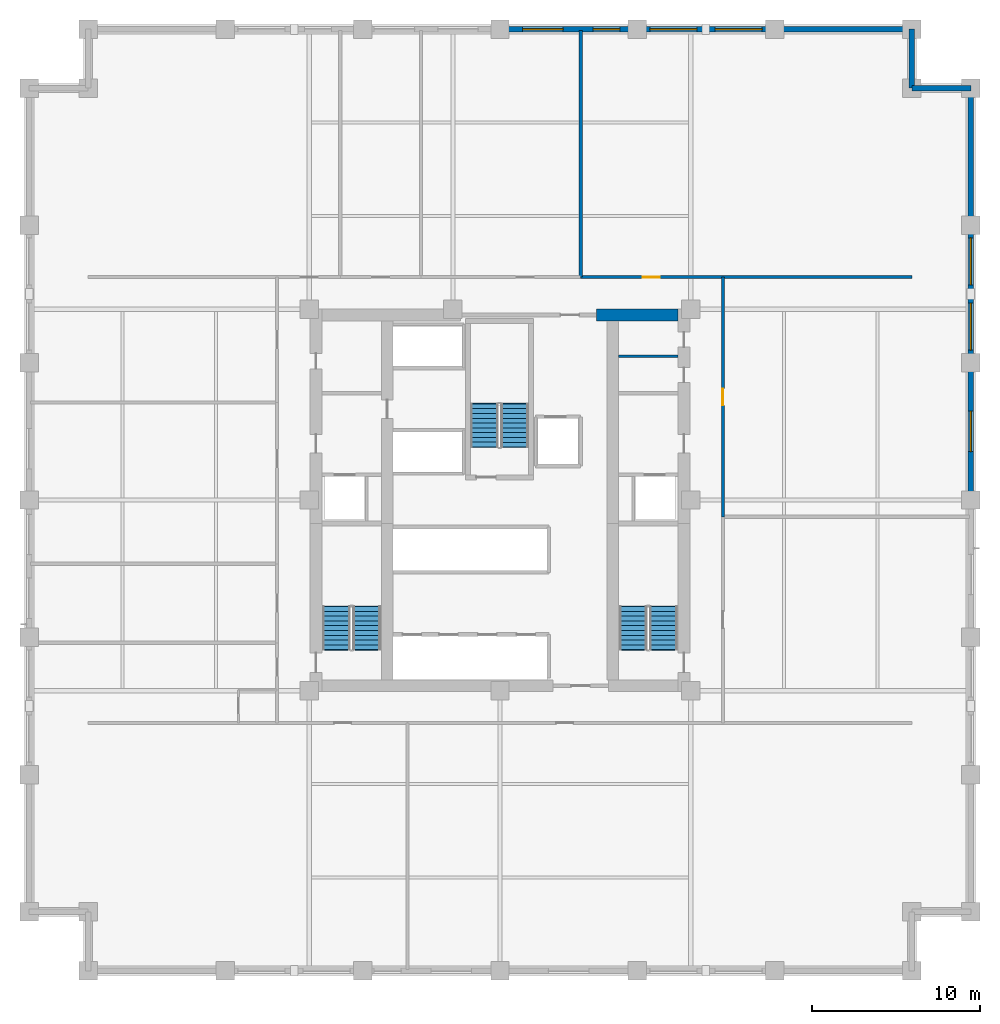
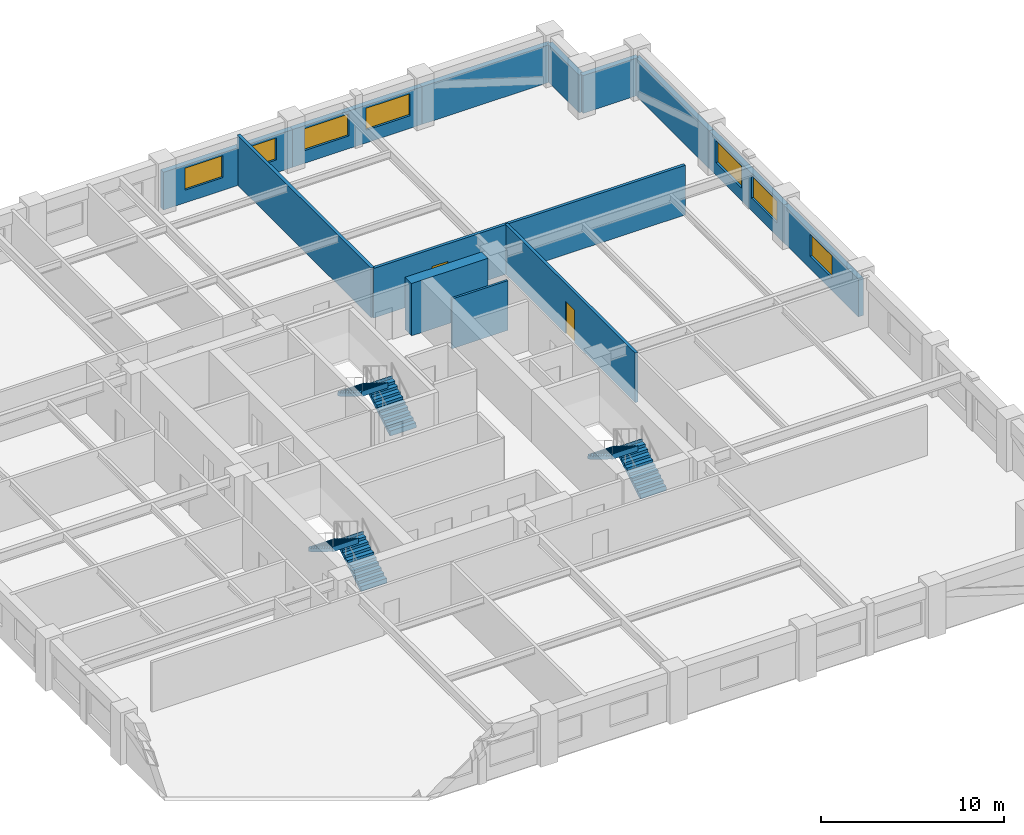
# One storey, part 8 of 9: 13 walls, 7 windows, 6 stair flights, 2 doors, 9 openings, 3 elements without a shape of their own.
"""IFC4 building model written with IfcOpenShell, lengths in metres."""

from ifc_helpers import new_model, si_unit, direction, frame, frame_2d, origin, place, context, subcontext, project, spatial, polyline, rectangle, outline, extrude, material, layer, layer_set, type_object, element, fill, aggregate, save


model = new_model("IFC4")

# Units and contexts
model_context = context("Model", 3, precision=1e-05, world=origin(), true_north=direction((0.0, 1.0)))
body_context = subcontext(model_context, "Body", "Model", "MODEL_VIEW")
ifc_project = project(units=[si_unit("LENGTHUNIT", "METRE"), si_unit("AREAUNIT", "SQUARE_METRE"), si_unit("VOLUMEUNIT", "CUBIC_METRE"), si_unit("PLANEANGLEUNIT", "RADIAN"), si_unit("MASSUNIT", "GRAM", prefix="KILO")], contexts=[model_context])

# Site, building, storey
site_placement = place(None, origin())
site = spatial("IfcSite", under=ifc_project, at=site_placement, CompositionType="ELEMENT")
building_placement = place(site_placement, origin())
building = spatial("IfcBuilding", under=site, at=building_placement, Name="Nhamokura Convention Tower", CompositionType="ELEMENT")
storey_placement = place(building_placement, frame((0.0, 0.0, 85.75)))
storey = spatial("IfcBuildingStorey", under=building, at=storey_placement, Name="L20", CompositionType="ELEMENT", Elevation=85.75)

# Wall
ifc_material_1 = material(Name="Moisture-resistant tile-backer partition", Category="masonry")
ifc_layer_1 = layer(ifc_material_1, 0.139892578125)
ifc_layer_set_1 = layer_set([ifc_layer_1], Name="BathroomWetWall_140")
wall_type_1 = type_object("IfcWallType", Name="BathroomWetWall_140", PredefinedType="STANDARD", material=ifc_layer_set_1)
wall_1_placement = place(storey_placement, frame((39.06005859375, 40.550048828125, 0.0), z_axis=(0.0, 0.0, 1.0), x_axis=(1.0, 0.0, 0.0)))
element("IfcWall", 1, at=wall_1_placement, inside=storey, type_object=wall_type_1, Name="L20 Wall INT-L20-CWNE", PredefinedType="STANDARD", context=body_context, shape_type="SweptSolid", body=[
    extrude(rectangle(XDim=3.530029296875, YDim=0.139892578125, at=frame_2d((1.76513671875, 0.0))), origin(), (0.0, 0.0, 1.0), 3.320068359375),
])

# Wall, openings, windows
ifc_material_2 = material(Name="Bronze-pigmented precast concrete C45/55", Category="concrete")
ifc_layer_2 = layer(ifc_material_2, 0.320068359375)
ifc_layer_set_2 = layer_set([ifc_layer_2], Name="BronzePrecastSpandrel_320")
wall_type_2 = type_object("IfcWallType", Name="BronzePrecastSpandrel_320", PredefinedType="USERDEFINED", material=ifc_layer_set_2)
wall_2_placement = place(storey_placement, frame((32.0, 60.0, 0.0), z_axis=(0.0, 0.0, 1.0), x_axis=(1.0, 0.0, 0.0)))
wall_2 = element("IfcWall", 2, at=wall_2_placement, inside=storey, type_object=wall_type_2, Name="L20 Masonry-Frame Wall NORTH 3", ObjectType="SPANDREL_WALL", PredefinedType="USERDEFINED", context=body_context, shape_type="SweptSolid", body=[
    extrude(rectangle(XDim=8.166748046875, YDim=0.320068359375, at=frame_2d((4.08349609375, 0.0))), origin(), (0.0, 0.0, 1.0), 2.52001953125),
])
opening_1_placement = place(wall_2_placement, frame((1.35009765625, 0.0, 0.85009765625)))
opening_1 = element("IfcOpeningElement", 3, at=opening_1_placement, cuts=wall_2, Name="Opening W-03", PredefinedType="OPENING", context=body_context, shape_type="SweptSolid", body=[
    extrude(rectangle(XDim=2.39990234375, YDim=1.469970703125, at=frame_2d((1.199951171875, 0.73486328125))), frame((0.0, 0.169921875, 0.0), z_axis=(0.0, -1.0, 0.0), x_axis=(1.0, 0.0, 0.0)), (0.0, 0.0, 1.0), 0.340087890625),
])
opening_2_placement = place(wall_2_placement, frame((5.533203125, 0.0, 0.85009765625)))
opening_2 = element("IfcOpeningElement", 4, at=opening_2_placement, cuts=wall_2, Name="Opening W-11", PredefinedType="OPENING", context=body_context, shape_type="SweptSolid", body=[
    extrude(rectangle(XDim=1.60009765625, YDim=1.469970703125, at=frame_2d((0.800048828125, 0.73486328125))), frame((0.0, 0.169921875, 0.0), z_axis=(0.0, -1.0, 0.0), x_axis=(1.0, 0.0, 0.0)), (0.0, 0.0, 1.0), 0.340087890625),
])
ifc_material_3 = material(Name="Solar-control bronze low-E double glass", Category="glass")
window_type_1 = type_object("IfcWindowType", Name="HotelBayWindow_2400", PartitioningType="DOUBLE_PANEL_VERTICAL", PredefinedType="WINDOW", material=ifc_material_3)
window_1_placement = place(opening_1_placement, origin())
window_1 = element("IfcWindow", 5, at=window_1_placement, inside=storey, type_object=window_type_1, Name="L20 Facade Window NORTH 3-1", OverallHeight=1.469970703125, OverallWidth=2.39990234375, PartitioningType="SINGLE_PANEL", PredefinedType="WINDOW", context=body_context, shape_type="SweptSolid", body=[
    extrude(rectangle(XDim=2.39990234375, YDim=1.469970703125, at=frame_2d((1.199951171875, 0.73486328125))), frame((0.0, 0.030029296875, 0.0), z_axis=(0.0, -1.0, 0.0), x_axis=(1.0, 0.0, 0.0)), (0.0, 0.0, 1.0), 0.06005859375),
])
fill(opening_1, window_1)
ifc_material_4 = material(Name="Solar-control bronze low-E double glass", Category="glass")
window_type_2 = type_object("IfcWindowType", Name="NotchCornerWindow_1600", PartitioningType="SINGLE_PANEL", PredefinedType="WINDOW", material=ifc_material_4)
window_2_placement = place(opening_2_placement, origin())
window_2 = element("IfcWindow", 6, at=window_2_placement, inside=storey, type_object=window_type_2, Name="L20 Facade Window NORTH 3-2", OverallHeight=1.469970703125, OverallWidth=1.60009765625, PartitioningType="SINGLE_PANEL", PredefinedType="WINDOW", context=body_context, shape_type="SweptSolid", body=[
    extrude(rectangle(XDim=1.60009765625, YDim=1.469970703125, at=frame_2d((0.800048828125, 0.73486328125))), frame((0.0, 0.030029296875, 0.0), z_axis=(0.0, -1.0, 0.0), x_axis=(1.0, 0.0, 0.0)), (0.0, 0.0, 1.0), 0.06005859375),
])
fill(opening_2, window_2)

wall_3_placement = place(storey_placement, frame((40.166748046875, 60.0, 0.0), z_axis=(0.0, 0.0, 1.0), x_axis=(1.0, 0.0, 0.0)))
wall_3 = element("IfcWall", 7, at=wall_3_placement, inside=storey, type_object=wall_type_2, Name="L20 Masonry-Frame Wall NORTH 4", ObjectType="SPANDREL_WALL", PredefinedType="USERDEFINED", context=body_context, shape_type="SweptSolid", body=[
    extrude(rectangle(XDim=8.16650390625, YDim=0.320068359375, at=frame_2d((4.083251953125, 0.0))), origin(), (0.0, 0.0, 1.0), 2.52001953125),
])
opening_3_placement = place(wall_3_placement, frame((0.74169921875, 0.0, 0.85009765625)))
opening_3 = element("IfcOpeningElement", 8, at=opening_3_placement, cuts=wall_3, Name="Opening W-04", PredefinedType="OPENING", context=body_context, shape_type="SweptSolid", body=[
    extrude(rectangle(XDim=2.800048828125, YDim=1.469970703125, at=frame_2d((1.39990234375, 0.73486328125))), frame((0.0, 0.169921875, 0.0), z_axis=(0.0, -1.0, 0.0), x_axis=(1.0, 0.0, 0.0)), (0.0, 0.0, 1.0), 0.340087890625),
])
opening_4_placement = place(wall_3_placement, frame((4.625, 0.0, 0.85009765625)))
opening_4 = element("IfcOpeningElement", 9, at=opening_4_placement, cuts=wall_3, Name="Opening W-04", PredefinedType="OPENING", context=body_context, shape_type="SweptSolid", body=[
    extrude(rectangle(XDim=2.800048828125, YDim=1.469970703125, at=frame_2d((1.39990234375, 0.73486328125))), frame((0.0, 0.169921875, 0.0), z_axis=(0.0, -1.0, 0.0), x_axis=(1.0, 0.0, 0.0)), (0.0, 0.0, 1.0), 0.340087890625),
])
ifc_material_5 = material(Name="Solar-control bronze low-E double glass", Category="glass")
window_type_3 = type_object("IfcWindowType", Name="HotelSuiteWindow_2800", PartitioningType="DOUBLE_PANEL_VERTICAL", PredefinedType="WINDOW", material=ifc_material_5)
window_3_placement = place(opening_3_placement, origin())
window_3 = element("IfcWindow", 10, at=window_3_placement, inside=storey, type_object=window_type_3, Name="L20 Facade Window NORTH 4-1", OverallHeight=1.469970703125, OverallWidth=2.800048828125, PartitioningType="SINGLE_PANEL", PredefinedType="WINDOW", context=body_context, shape_type="SweptSolid", body=[
    extrude(rectangle(XDim=2.800048828125, YDim=1.469970703125, at=frame_2d((1.39990234375, 0.73486328125))), frame((0.0, 0.030029296875, 0.0), z_axis=(0.0, -1.0, 0.0), x_axis=(1.0, 0.0, 0.0)), (0.0, 0.0, 1.0), 0.06005859375),
])
fill(opening_3, window_3)
window_4_placement = place(opening_4_placement, origin())
window_4 = element("IfcWindow", 11, at=window_4_placement, inside=storey, type_object=window_type_3, Name="L20 Facade Window NORTH 4-2", OverallHeight=1.469970703125, OverallWidth=2.800048828125, PartitioningType="SINGLE_PANEL", PredefinedType="WINDOW", context=body_context, shape_type="SweptSolid", body=[
    extrude(rectangle(XDim=2.800048828125, YDim=1.469970703125, at=frame_2d((1.39990234375, 0.73486328125))), frame((0.0, 0.030029296875, 0.0), z_axis=(0.0, -1.0, 0.0), x_axis=(1.0, 0.0, 0.0)), (0.0, 0.0, 1.0), 0.06005859375),
])
fill(opening_4, window_4)

# Wall
wall_4_placement = place(storey_placement, frame((48.333251953125, 60.0, 0.0), z_axis=(0.0, 0.0, 1.0), x_axis=(1.0, 0.0, 0.0)))
element("IfcWall", 12, at=wall_4_placement, inside=storey, type_object=wall_type_2, Name="L20 Braced-Bay Precast Wall NORTH 5", ObjectType="SPANDREL_WALL", PredefinedType="USERDEFINED", context=body_context, shape_type="SweptSolid", body=[
    extrude(rectangle(XDim=8.166748046875, YDim=0.320068359375, at=frame_2d((4.08349609375, 0.0))), origin(), (0.0, 0.0, 1.0), 2.52001953125),
])

# Wall, opening, window
wall_5_placement = place(storey_placement, frame((60.0, 40.166748046875, 0.0), z_axis=(0.0, 0.0, 1.0), x_axis=(0.0, -1.0, 0.0)))
wall_5 = element("IfcWall", 13, at=wall_5_placement, inside=storey, type_object=wall_type_2, Name="L20 Masonry-Frame Wall EAST 3", ObjectType="SPANDREL_WALL", PredefinedType="USERDEFINED", context=body_context, shape_type="SweptSolid", body=[
    extrude(rectangle(XDim=8.166748046875, YDim=0.320068359375, at=frame_2d((4.08349609375, 0.0))), origin(), (0.0, 0.0, 1.0), 2.52001953125),
])
opening_5_placement = place(wall_5_placement, frame((2.88330078125, 0.0, 0.85009765625)))
opening_5 = element("IfcOpeningElement", 14, at=opening_5_placement, cuts=wall_5, Name="Opening W-03", PredefinedType="OPENING", context=body_context, shape_type="SweptSolid", body=[
    extrude(rectangle(XDim=2.39990234375, YDim=1.469970703125, at=frame_2d((1.199951171875, 0.73486328125))), frame((0.0, 0.169921875, 0.0), z_axis=(0.0, -1.0, 0.0), x_axis=(1.0, 0.0, 0.0)), (0.0, 0.0, 1.0), 0.340087890625),
])
window_5_placement = place(opening_5_placement, origin())
window_5 = element("IfcWindow", 15, at=window_5_placement, inside=storey, type_object=window_type_1, Name="L20 Facade Window EAST 3", OverallHeight=1.469970703125, OverallWidth=2.39990234375, PartitioningType="SINGLE_PANEL", PredefinedType="WINDOW", context=body_context, shape_type="SweptSolid", body=[
    extrude(rectangle(XDim=2.39990234375, YDim=1.469970703125, at=frame_2d((1.199951171875, 0.73486328125))), frame((0.0, 0.030029296875, 0.0), z_axis=(0.0, -1.0, 0.0), x_axis=(1.0, 0.0, 0.0)), (0.0, 0.0, 1.0), 0.06005859375),
])
fill(opening_5, window_5)

# Wall, openings, windows
wall_6_placement = place(storey_placement, frame((60.0, 48.333251953125, 0.0), z_axis=(0.0, 0.0, 1.0), x_axis=(0.0, -1.0, 0.0)))
wall_6 = element("IfcWall", 16, at=wall_6_placement, inside=storey, type_object=wall_type_2, Name="L20 Masonry-Frame Wall EAST 4", ObjectType="SPANDREL_WALL", PredefinedType="USERDEFINED", context=body_context, shape_type="SweptSolid", body=[
    extrude(rectangle(XDim=8.16650390625, YDim=0.320068359375, at=frame_2d((4.083251953125, 0.0))), origin(), (0.0, 0.0, 1.0), 2.52001953125),
])
opening_6_placement = place(wall_6_placement, frame((0.74169921875, 0.0, 0.85009765625)))
opening_6 = element("IfcOpeningElement", 17, at=opening_6_placement, cuts=wall_6, Name="Opening W-04", PredefinedType="OPENING", context=body_context, shape_type="SweptSolid", body=[
    extrude(rectangle(XDim=2.800048828125, YDim=1.469970703125, at=frame_2d((1.39990234375, 0.73486328125))), frame((0.0, 0.169921875, 0.0), z_axis=(0.0, -1.0, 0.0), x_axis=(1.0, 0.0, 0.0)), (0.0, 0.0, 1.0), 0.340087890625),
])
opening_7_placement = place(wall_6_placement, frame((4.625, 0.0, 0.85009765625)))
opening_7 = element("IfcOpeningElement", 18, at=opening_7_placement, cuts=wall_6, Name="Opening W-04", PredefinedType="OPENING", context=body_context, shape_type="SweptSolid", body=[
    extrude(rectangle(XDim=2.800048828125, YDim=1.469970703125, at=frame_2d((1.39990234375, 0.73486328125))), frame((0.0, 0.169921875, 0.0), z_axis=(0.0, -1.0, 0.0), x_axis=(1.0, 0.0, 0.0)), (0.0, 0.0, 1.0), 0.340087890625),
])
window_6_placement = place(opening_6_placement, origin())
window_6 = element("IfcWindow", 19, at=window_6_placement, inside=storey, type_object=window_type_3, Name="L20 Facade Window EAST 4-1", OverallHeight=1.469970703125, OverallWidth=2.800048828125, PartitioningType="SINGLE_PANEL", PredefinedType="WINDOW", context=body_context, shape_type="SweptSolid", body=[
    extrude(rectangle(XDim=2.800048828125, YDim=1.469970703125, at=frame_2d((1.39990234375, 0.73486328125))), frame((0.0, 0.030029296875, 0.0), z_axis=(0.0, -1.0, 0.0), x_axis=(1.0, 0.0, 0.0)), (0.0, 0.0, 1.0), 0.06005859375),
])
fill(opening_6, window_6)
window_7_placement = place(opening_7_placement, origin())
window_7 = element("IfcWindow", 20, at=window_7_placement, inside=storey, type_object=window_type_3, Name="L20 Facade Window EAST 4-2", OverallHeight=1.469970703125, OverallWidth=2.800048828125, PartitioningType="SINGLE_PANEL", PredefinedType="WINDOW", context=body_context, shape_type="SweptSolid", body=[
    extrude(rectangle(XDim=2.800048828125, YDim=1.469970703125, at=frame_2d((1.39990234375, 0.73486328125))), frame((0.0, 0.030029296875, 0.0), z_axis=(0.0, -1.0, 0.0), x_axis=(1.0, 0.0, 0.0)), (0.0, 0.0, 1.0), 0.06005859375),
])
fill(opening_7, window_7)

# Walls
wall_7_placement = place(storey_placement, frame((60.0, 56.5, 0.0), z_axis=(0.0, 0.0, 1.0), x_axis=(0.0, -1.0, 0.0)))
element("IfcWall", 21, at=wall_7_placement, inside=storey, type_object=wall_type_2, Name="L20 Braced-Bay Precast Wall EAST 5", ObjectType="SPANDREL_WALL", PredefinedType="USERDEFINED", context=body_context, shape_type="SweptSolid", body=[
    extrude(rectangle(XDim=8.166748046875, YDim=0.320068359375, at=frame_2d((4.08349609375, 0.0))), origin(), (0.0, 0.0, 1.0), 2.52001953125),
])
for number, where, z_axis, x_axis, name in (
    (22, (56.5, 56.5, 0.0), (0.0, 0.0, 1.0), (1.0, 0.0, 0.0), "L20 Notched Corner Wall NE1"),
    (23, (56.5, 60.0, 0.0), (0.0, 0.0, 1.0), (0.0, -1.0, 0.0), "L20 Notched Corner Wall NE2"),
):
    element("IfcWall", number, at=place(storey_placement, frame(where, z_axis=z_axis, x_axis=x_axis)), inside=storey, type_object=wall_type_2, Name=name, ObjectType="SPANDREL_WALL", PredefinedType="USERDEFINED", context=body_context, shape_type="SweptSolid", body=[
        extrude(rectangle(XDim=3.5, YDim=0.320068359375, at=frame_2d((1.75, 0.0))), origin(), (0.0, 0.0, 1.0), 2.52001953125),
    ])
ifc_material_6 = material(Name="Concrete C70/85", Category="concrete")
ifc_layer_3 = layer(ifc_material_6, 0.699951171875)
ifc_layer_set_3 = layer_set([ifc_layer_3], Name="CoreShearWall_700")
wall_type_3 = type_object("IfcWallType", Name="CoreShearWall_700", PredefinedType="SHEAR", material=ifc_layer_set_3)
wall_8_placement = place(storey_placement, frame((37.75, 43.0, 0.0), z_axis=(0.0, 0.0, 1.0), x_axis=(1.0, 0.0, 0.0)))
element("IfcWall", 24, at=wall_8_placement, inside=storey, type_object=wall_type_3, Name="L20 Core Shear Wall CW-N2", PredefinedType="SHEAR", context=body_context, shape_type="SweptSolid", body=[
    extrude(rectangle(XDim=4.840087890625, YDim=0.699951171875, at=frame_2d((2.419921875, 0.0))), origin(), (0.0, 0.0, 1.0), 3.5),
])

# Wall, opening, door
ifc_material_7 = material(Name="Fire-rated gypsum and masonry partition", Category="masonry")
ifc_layer_4 = layer(ifc_material_7, 0.179931640625)
ifc_layer_set_4 = layer_set([ifc_layer_4], Name="CorridorRatedWall_180")
wall_type_4 = type_object("IfcWallType", Name="CorridorRatedWall_180", PredefinedType="STANDARD", material=ifc_layer_set_4)
wall_9_placement = place(storey_placement, frame((36.800048828125, 45.25, 0.0), z_axis=(0.0, 0.0, 1.0), x_axis=(1.0, 0.0, 0.0)))
wall_9 = element("IfcWall", 25, at=wall_9_placement, inside=storey, type_object=wall_type_4, Name="L20 Wall INT-L20-CW-N03", PredefinedType="STANDARD", context=body_context, shape_type="SweptSolid", body=[
    extrude(rectangle(XDim=19.699951171875, YDim=0.179931640625, at=frame_2d((9.85009765625, 0.0))), origin(), (0.0, 0.0, 1.0), 3.320068359375),
])
opening_8_placement = place(wall_9_placement, frame((3.699951171875, 0.0, 0.0)))
opening_8 = element("IfcOpeningElement", 26, at=opening_8_placement, cuts=wall_9, Name="Opening D-07", PredefinedType="OPENING", context=body_context, shape_type="SweptSolid", body=[
    extrude(rectangle(XDim=1.0, YDim=2.14990234375, at=frame_2d((0.5, 1.074951171875))), frame((0.0, 0.099853515625, 0.0), z_axis=(0.0, -1.0, 0.0), x_axis=(1.0, 0.0, 0.0)), (0.0, 0.0, 1.0), 0.199951171875),
])
ifc_material_8 = material(Name="Solid oak hardwood", Category="wood")
door_type = type_object("IfcDoorType", Name="HotelSuiteEntryDoor_1000", OperationType="NOTDEFINED", PredefinedType="DOOR", material=ifc_material_8)
door_1_placement = place(opening_8_placement, origin())
door_1 = element("IfcDoor", 27, at=door_1_placement, inside=storey, type_object=door_type, Name="L20 Conference Salon N04 Door", OperationType="SINGLE_SWING_RIGHT", OverallHeight=2.14990234375, OverallWidth=1.0, PredefinedType="DOOR", context=body_context, shape_type="SweptSolid", body=[
    extrude(rectangle(XDim=1.0, YDim=2.14990234375, at=frame_2d((0.5, 1.074951171875))), frame((0.0, 0.02490234375, 0.0), z_axis=(0.0, -1.0, 0.0), x_axis=(1.0, 0.0, 0.0)), (0.0, 0.0, 1.0), 0.050048828125),
])
fill(opening_8, door_1)

wall_10_placement = place(storey_placement, frame((45.25, 31.0, 0.0), z_axis=(0.0, 0.0, 1.0), x_axis=(0.0, 1.0, 0.0)))
wall_10 = element("IfcWall", 28, at=wall_10_placement, inside=storey, type_object=wall_type_4, Name="L20 Wall INT-L20-CW-E01", PredefinedType="STANDARD", context=body_context, shape_type="SweptSolid", body=[
    extrude(rectangle(XDim=14.25, YDim=0.179931640625, at=frame_2d((7.125, 0.0))), origin(), (0.0, 0.0, 1.0), 3.320068359375),
])
opening_9_placement = place(wall_10_placement, frame((6.625, 0.0, 0.0)))
opening_9 = element("IfcOpeningElement", 29, at=opening_9_placement, cuts=wall_10, Name="Opening D-07", PredefinedType="OPENING", context=body_context, shape_type="SweptSolid", body=[
    extrude(rectangle(XDim=1.0, YDim=2.14990234375, at=frame_2d((0.5, 1.074951171875))), frame((0.0, 0.099853515625, 0.0), z_axis=(0.0, -1.0, 0.0), x_axis=(1.0, 0.0, 0.0)), (0.0, 0.0, 1.0), 0.199951171875),
])
door_2_placement = place(opening_9_placement, origin())
door_2 = element("IfcDoor", 30, at=door_2_placement, inside=storey, type_object=door_type, Name="L20 Housekeeping Store E02 Door", OperationType="SINGLE_SWING_RIGHT", OverallHeight=2.14990234375, OverallWidth=1.0, PredefinedType="DOOR", context=body_context, shape_type="SweptSolid", body=[
    extrude(rectangle(XDim=1.0, YDim=2.14990234375, at=frame_2d((0.5, 1.074951171875))), frame((0.0, 0.02490234375, 0.0), z_axis=(0.0, -1.0, 0.0), x_axis=(1.0, 0.0, 0.0)), (0.0, 0.0, 1.0), 0.050048828125),
])
fill(opening_9, door_2)

# Wall
ifc_material_9 = material(Name="Acoustic twin-stud gypsum partition", Category="masonry")
ifc_layer_5 = layer(ifc_material_9, 0.199951171875)
ifc_layer_set_5 = layer_set([ifc_layer_5], Name="HotelDemisingWall_200")
wall_type_5 = type_object("IfcWallType", Name="HotelDemisingWall_200", PredefinedType="STANDARD", material=ifc_layer_set_5)
wall_11_placement = place(storey_placement, frame((36.800048828125, 45.25, 0.0), z_axis=(0.0, 0.0, 1.0), x_axis=(0.0, 1.0, 0.0)))
element("IfcWall", 31, at=wall_11_placement, inside=storey, type_object=wall_type_5, Name="L20 Wall INT-L20-RW-N03", PredefinedType="STANDARD", context=body_context, shape_type="SweptSolid", body=[
    extrude(rectangle(XDim=14.68994140625, YDim=0.199951171875, at=frame_2d((7.344970703125, 0.0))), origin(), (0.0, 0.0, 1.0), 3.320068359375),
])

# Stair, stair flights
ifc_material_10 = material(Name="Concrete C40/50", Category="concrete")
stair_type = type_object("IfcStairType", Name="TowerCoreStair_1650", PredefinedType="HALF_TURN_STAIR", material=ifc_material_10)
stair_1_placement = place(storey_placement, origin())
stair_1 = element("IfcStair", 32, at=stair_1_placement, inside=storey, type_object=stair_type, Name="L20 West Core Smokeproof Stair ST-01", PredefinedType="HALF_TURN_STAIR")
ifc_material_11 = material(Name="Concrete C40/50", Category="concrete")
stair_flight_type = type_object("IfcStairFlightType", Name="TowerCoreStair_1650_Flight", PredefinedType="STRAIGHT", material=ifc_material_11)
stair_flight_1_placement = place(storey_placement, frame((24.074951171875, 23.10009765625, 0.0), z_axis=(0.0, 0.0, 1.0), x_axis=(0.0, 1.0, 0.0)))
stair_flight_1 = element("IfcStairFlight", 33, at=stair_flight_1_placement, type_object=stair_flight_type, Name="ST-01 flight 1", NumberOfRisers=10, NumberOfTreads=9, PredefinedType="STRAIGHT", RiserHeight=0.175, TreadLength=0.285, context=body_context, shape_type="SweptSolid", body=[
    extrude(outline(polyline([(-0.0419921875, 0.0), (0.0, 0.175048828125), (0.284912109375, 0.175048828125), (0.284912109375, 0.35009765625), (0.570068359375, 0.35009765625), (0.570068359375, 0.52490234375), (0.85498046875, 0.52490234375), (0.85498046875, 0.699951171875), (1.139892578125, 0.699951171875), (1.139892578125, 0.875), (1.425048828125, 0.875), (1.425048828125, 1.050048828125), (1.7099609375, 1.050048828125), (1.7099609375, 1.22509765625), (1.9951171875, 1.22509765625), (1.9951171875, 1.39990234375), (2.280029296875, 1.39990234375), (2.280029296875, 1.574951171875), (2.56494140625, 1.574951171875), (2.56494140625, 1.75), (2.60693359375, 1.75), (2.60693359375, 1.399169921875), (2.56494140625, 1.399169921875), (0.286376953125, 0.0), (0.02001953125, -0.1298828125), (-0.0419921875, -0.1298828125), (-0.0419921875, 0.0)])), frame((0.0, 0.824951171875, 0.0), z_axis=(0.0, -1.0, 0.0), x_axis=(1.0, 0.0, 0.0)), (0.0, 0.0, 1.0), 1.64990234375),
])
stair_flight_2_placement = place(storey_placement, frame((22.27490234375, 25.6650390625, 1.75), z_axis=(0.0, 0.0, 1.0), x_axis=(0.0, -1.0, 0.0)))
stair_flight_2 = element("IfcStairFlight", 34, at=stair_flight_2_placement, type_object=stair_flight_type, Name="ST-01 flight 2", NumberOfRisers=10, NumberOfTreads=9, PredefinedType="STRAIGHT", RiserHeight=0.175, TreadLength=0.285, context=body_context, shape_type="SweptSolid", body=[
    extrude(outline(polyline([(-0.0419921875, 0.0), (0.0, 0.175048828125), (0.284912109375, 0.175048828125), (0.284912109375, 0.35009765625), (0.570068359375, 0.35009765625), (0.570068359375, 0.52490234375), (0.85498046875, 0.52490234375), (0.85498046875, 0.699951171875), (1.139892578125, 0.699951171875), (1.139892578125, 0.875), (1.425048828125, 0.875), (1.425048828125, 1.050048828125), (1.7099609375, 1.050048828125), (1.7099609375, 1.22509765625), (1.9951171875, 1.22509765625), (1.9951171875, 1.39990234375), (2.280029296875, 1.39990234375), (2.280029296875, 1.574951171875), (2.56494140625, 1.574951171875), (2.56494140625, 1.75), (2.60693359375, 1.75), (2.60693359375, 1.399169921875), (2.56494140625, 1.399169921875), (0.286376953125, 0.0), (0.02001953125, -0.1298828125), (-0.0419921875, -0.1298828125), (-0.0419921875, 0.0)])), frame((0.0, 0.824951171875, 0.0), z_axis=(0.0, -1.0, 0.0), x_axis=(1.0, 0.0, 0.0)), (0.0, 0.0, 1.0), 1.64990234375),
])
aggregate(stair_1, [stair_flight_1, stair_flight_2])

stair_2_placement = place(storey_placement, origin())
stair_2 = element("IfcStair", 35, at=stair_2_placement, inside=storey, type_object=stair_type, Name="L20 East Core Smokeproof Stair ST-02", PredefinedType="HALF_TURN_STAIR")
stair_flight_3_placement = place(storey_placement, frame((41.72509765625, 23.10009765625, 0.0), z_axis=(0.0, 0.0, 1.0), x_axis=(0.0, 1.0, 0.0)))
stair_flight_3 = element("IfcStairFlight", 36, at=stair_flight_3_placement, type_object=stair_flight_type, Name="ST-02 flight 1", NumberOfRisers=10, NumberOfTreads=9, PredefinedType="STRAIGHT", RiserHeight=0.175, TreadLength=0.285, context=body_context, shape_type="SweptSolid", body=[
    extrude(outline(polyline([(-0.0419921875, 0.0), (0.0, 0.175048828125), (0.284912109375, 0.175048828125), (0.284912109375, 0.35009765625), (0.570068359375, 0.35009765625), (0.570068359375, 0.52490234375), (0.85498046875, 0.52490234375), (0.85498046875, 0.699951171875), (1.139892578125, 0.699951171875), (1.139892578125, 0.875), (1.425048828125, 0.875), (1.425048828125, 1.050048828125), (1.7099609375, 1.050048828125), (1.7099609375, 1.22509765625), (1.9951171875, 1.22509765625), (1.9951171875, 1.39990234375), (2.280029296875, 1.39990234375), (2.280029296875, 1.574951171875), (2.56494140625, 1.574951171875), (2.56494140625, 1.75), (2.60693359375, 1.75), (2.60693359375, 1.399169921875), (2.56494140625, 1.399169921875), (0.286376953125, 0.0), (0.02001953125, -0.1298828125), (-0.0419921875, -0.1298828125), (-0.0419921875, 0.0)])), frame((0.0, 0.824951171875, 0.0), z_axis=(0.0, -1.0, 0.0), x_axis=(1.0, 0.0, 0.0)), (0.0, 0.0, 1.0), 1.64990234375),
])
stair_flight_4_placement = place(storey_placement, frame((39.925048828125, 25.6650390625, 1.75), z_axis=(0.0, 0.0, 1.0), x_axis=(0.0, -1.0, 0.0)))
stair_flight_4 = element("IfcStairFlight", 37, at=stair_flight_4_placement, type_object=stair_flight_type, Name="ST-02 flight 2", NumberOfRisers=10, NumberOfTreads=9, PredefinedType="STRAIGHT", RiserHeight=0.175, TreadLength=0.285, context=body_context, shape_type="SweptSolid", body=[
    extrude(outline(polyline([(-0.0419921875, 0.0), (0.0, 0.175048828125), (0.284912109375, 0.175048828125), (0.284912109375, 0.35009765625), (0.570068359375, 0.35009765625), (0.570068359375, 0.52490234375), (0.85498046875, 0.52490234375), (0.85498046875, 0.699951171875), (1.139892578125, 0.699951171875), (1.139892578125, 0.875), (1.425048828125, 0.875), (1.425048828125, 1.050048828125), (1.7099609375, 1.050048828125), (1.7099609375, 1.22509765625), (1.9951171875, 1.22509765625), (1.9951171875, 1.39990234375), (2.280029296875, 1.39990234375), (2.280029296875, 1.574951171875), (2.56494140625, 1.574951171875), (2.56494140625, 1.75), (2.60693359375, 1.75), (2.60693359375, 1.399169921875), (2.56494140625, 1.399169921875), (0.286376953125, 0.0), (0.02001953125, -0.1298828125), (-0.0419921875, -0.1298828125), (-0.0419921875, 0.0)])), frame((0.0, 0.824951171875, 0.0), z_axis=(0.0, -1.0, 0.0), x_axis=(1.0, 0.0, 0.0)), (0.0, 0.0, 1.0), 1.64990234375),
])
aggregate(stair_2, [stair_flight_3, stair_flight_4])

stair_3_placement = place(storey_placement, origin())
stair_3 = element("IfcStair", 38, at=stair_3_placement, inside=storey, type_object=stair_type, Name="L20 North Core Smokeproof Stair ST-03", PredefinedType="HALF_TURN_STAIR")
stair_flight_5_placement = place(storey_placement, frame((32.875, 35.14990234375, 0.0), z_axis=(0.0, 0.0, 1.0), x_axis=(0.0, 1.0, 0.0)))
stair_flight_5 = element("IfcStairFlight", 39, at=stair_flight_5_placement, type_object=stair_flight_type, Name="ST-03 flight 1", NumberOfRisers=10, NumberOfTreads=9, PredefinedType="STRAIGHT", RiserHeight=0.175, TreadLength=0.285, context=body_context, shape_type="SweptSolid", body=[
    extrude(outline(polyline([(-0.0419921875, 0.0), (0.0, 0.175048828125), (0.284912109375, 0.175048828125), (0.284912109375, 0.35009765625), (0.570068359375, 0.35009765625), (0.570068359375, 0.52490234375), (0.85498046875, 0.52490234375), (0.85498046875, 0.699951171875), (1.139892578125, 0.699951171875), (1.139892578125, 0.875), (1.425048828125, 0.875), (1.425048828125, 1.050048828125), (1.7099609375, 1.050048828125), (1.7099609375, 1.22509765625), (1.9951171875, 1.22509765625), (1.9951171875, 1.39990234375), (2.280029296875, 1.39990234375), (2.280029296875, 1.574951171875), (2.56494140625, 1.574951171875), (2.56494140625, 1.75), (2.60693359375, 1.75), (2.60693359375, 1.399169921875), (2.56494140625, 1.399169921875), (0.286376953125, 0.0), (0.02001953125, -0.1298828125), (-0.0419921875, -0.1298828125), (-0.0419921875, 0.0)])), frame((0.0, 0.824951171875, 0.0), z_axis=(0.0, -1.0, 0.0), x_axis=(1.0, 0.0, 0.0)), (0.0, 0.0, 1.0), 1.64990234375),
])
stair_flight_6_placement = place(storey_placement, frame((31.074951171875, 37.715087890625, 1.75), z_axis=(0.0, 0.0, 1.0), x_axis=(0.0, -1.0, 0.0)))
stair_flight_6 = element("IfcStairFlight", 40, at=stair_flight_6_placement, type_object=stair_flight_type, Name="ST-03 flight 2", NumberOfRisers=10, NumberOfTreads=9, PredefinedType="STRAIGHT", RiserHeight=0.175, TreadLength=0.285, context=body_context, shape_type="SweptSolid", body=[
    extrude(outline(polyline([(-0.0419921875, 0.0), (0.0, 0.175048828125), (0.284912109375, 0.175048828125), (0.284912109375, 0.35009765625), (0.570068359375, 0.35009765625), (0.570068359375, 0.52490234375), (0.85498046875, 0.52490234375), (0.85498046875, 0.699951171875), (1.139892578125, 0.699951171875), (1.139892578125, 0.875), (1.425048828125, 0.875), (1.425048828125, 1.050048828125), (1.7099609375, 1.050048828125), (1.7099609375, 1.22509765625), (1.9951171875, 1.22509765625), (1.9951171875, 1.39990234375), (2.280029296875, 1.39990234375), (2.280029296875, 1.574951171875), (2.56494140625, 1.574951171875), (2.56494140625, 1.75), (2.60693359375, 1.75), (2.60693359375, 1.399169921875), (2.56494140625, 1.399169921875), (0.286376953125, 0.0), (0.02001953125, -0.1298828125), (-0.0419921875, -0.1298828125), (-0.0419921875, 0.0)])), frame((0.0, 0.824951171875, 0.0), z_axis=(0.0, -1.0, 0.0), x_axis=(1.0, 0.0, 0.0)), (0.0, 0.0, 1.0), 1.64990234375),
])
aggregate(stair_3, [stair_flight_5, stair_flight_6])

save(model, "model.ifc")
